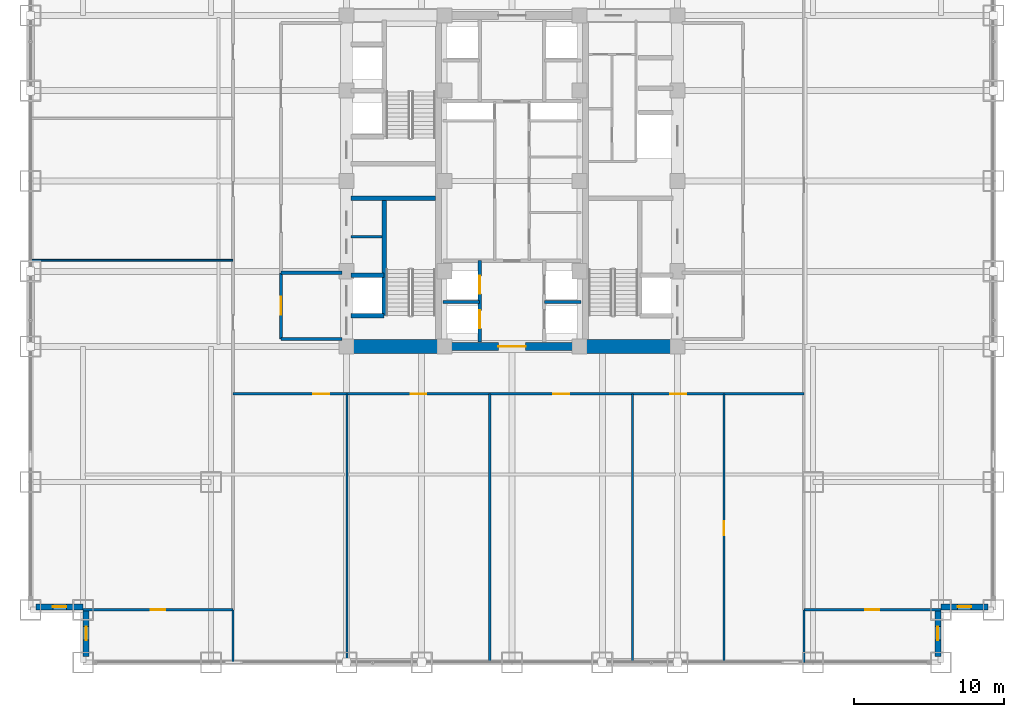
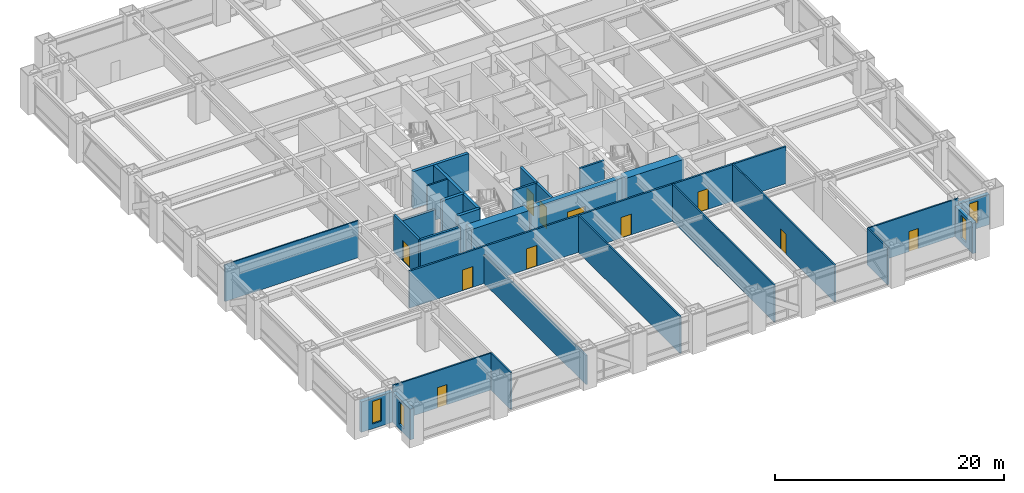
# One storey, part 23 of 27: 28 walls, 11 doors, 4 windows, 15 openings.
"""IFC4 building model written with IfcOpenShell, lengths in metres."""

from ifc_helpers import new_model, si_unit, direction, frame, frame_2d, origin, place, context, subcontext, project, spatial, rectangle, extrude, source, transform, mapped, material, layer, layer_set, type_object, element, fill, save


model = new_model("IFC4")

# Units and contexts
model_context = context("Model", 3, precision=1e-05, world=origin(), true_north=direction((0.0, 1.0)))
body_context = subcontext(model_context, "Body", "Model", "MODEL_VIEW")
ifc_project = project(units=[si_unit("LENGTHUNIT", "METRE"), si_unit("AREAUNIT", "SQUARE_METRE"), si_unit("VOLUMEUNIT", "CUBIC_METRE"), si_unit("PLANEANGLEUNIT", "RADIAN"), si_unit("MASSUNIT", "GRAM", prefix="KILO")], contexts=[model_context])

# Site, building, storey
site_placement = place(None, origin())
site = spatial("IfcSite", under=ifc_project, at=site_placement, CompositionType="ELEMENT")
building_placement = place(site_placement, origin())
building = spatial("IfcBuilding", under=site, at=building_placement, Name="Khorayat Bourse Tower", CompositionType="ELEMENT")
storey_placement = place(building_placement, frame((0.0, 0.0, 45.199951171875)))
storey = spatial("IfcBuildingStorey", under=building, at=storey_placement, Name="L09", CompositionType="ELEMENT", Elevation=45.199951171875)

# Walls
ifc_material_1 = material(Name="Concrete C72/90", Category="concrete")
ifc_layer_1 = layer(ifc_material_1, 0.89990234375)
ifc_layer_set_1 = layer_set([ifc_layer_1], Name="Concrete C72/90")
wall_type_1 = type_object("IfcWallType", Name="WAL-CORE-900", PredefinedType="SHEAR", material=ifc_layer_set_1)
shared_shape_1 = source(origin(), body_context, "Body", "SweptSolid", [
    extrude(rectangle(XDim=5.849853515625, YDim=0.89990234375, at=frame_2d((2.9248046875, 0.0))), origin(), (0.0, 0.0, 1.0), 3.93994140625),
])
for number, where, z_axis, x_axis, name in (
    (1, (-10.699951171875, -11.0, 0.0), (0.0, 0.0, 1.0), (1.0, 0.0, 0.0), "L09 Core Shear Wall PIER-WS"),
    (2, (4.85009765625, -11.0, 0.0), (0.0, 0.0, 1.0), (1.0, 0.0, 0.0), "L09 Core Shear Wall PIER-ES"),
):
    element("IfcWall", number, at=place(storey_placement, frame(where, z_axis=z_axis, x_axis=x_axis)), inside=storey, type_object=wall_type_1, Name=name, PredefinedType="SHEAR", context=body_context, shape_type="MappedRepresentation", body=[
        mapped(shared_shape_1, transform((0.0, 0.0, 0.0), scale=1.0)),
    ])
ifc_material_2 = material(Name="Concrete C50/60", Category="concrete")
ifc_layer_2 = layer(ifc_material_2, 0.300048828125)
ifc_layer_set_2 = layer_set([ifc_layer_2], Name="Concrete C50/60")
wall_type_2 = type_object("IfcWallType", Name="WAL-SHAFT-300", PredefinedType="SHEAR", material=ifc_layer_set_2)
shared_shape_2 = source(origin(), body_context, "Body", "SweptSolid", [
    extrude(rectangle(XDim=5.599853515625, YDim=0.300048828125, at=frame_2d((2.7998046875, 0.0))), origin(), (0.0, 0.0, 1.0), 3.93994140625),
])
wall_1_placement = place(storey_placement, frame((-10.699951171875, -1.14990234375, 0.0), z_axis=(0.0, 0.0, 1.0), x_axis=(1.0, 0.0, 0.0)))
element("IfcWall", 3, at=wall_1_placement, inside=storey, type_object=wall_type_2, Name="L09 Core Shear Wall ST1-DIV", PredefinedType="SHEAR", context=body_context, shape_type="MappedRepresentation", body=[
    mapped(shared_shape_2, transform((0.0, 0.0, 0.0), scale=1.0)),
])

# Wall, opening, door
ifc_material_3 = material(Name="Concrete C52/65", Category="concrete")
ifc_layer_3 = layer(ifc_material_3, 0.5)
ifc_layer_set_3 = layer_set([ifc_layer_3], Name="Concrete C52/65")
wall_type_3 = type_object("IfcWallType", Name="WAL-CORE-500", PredefinedType="SHEAR", material=ifc_layer_set_3)
shared_shape_3 = source(origin(), body_context, "Body", "SweptSolid", [
    extrude(rectangle(XDim=9.2001953125, YDim=0.5, at=frame_2d((4.60009765625, 0.0))), origin(), (0.0, 0.0, 1.0), 3.93994140625),
])
wall_2_placement = place(storey_placement, frame((-4.60009765625, -11.0, 0.0), z_axis=(0.0, 0.0, 1.0), x_axis=(1.0, 0.0, 0.0)))
wall_2 = element("IfcWall", 4, at=wall_2_placement, inside=storey, type_object=wall_type_3, Name="L09 Core Shear Wall CORE-S", PredefinedType="SHEAR", context=body_context, shape_type="MappedRepresentation", body=[
    mapped(shared_shape_3, transform((0.0, 0.0, 0.0), scale=1.0)),
])
shared_shape_4 = source(origin(), body_context, "Body", "SweptSolid", [
    extrude(rectangle(XDim=1.800048828125, YDim=2.25, at=frame_2d((0.89990234375, 1.125))), frame((0.0, 0.260009765625, 0.0), z_axis=(0.0, -1.0, 0.0), x_axis=(1.0, 0.0, 0.0)), (0.0, 0.0, 1.0), 0.52001953125),
])
opening_1_placement = place(wall_2_placement, frame((3.699951171875, 0.0, 0.0)))
opening_1 = element("IfcOpeningElement", 5, at=opening_1_placement, cuts=wall_2, Name="Opening DI-03", PredefinedType="OPENING", context=body_context, shape_type="MappedRepresentation", body=[
    mapped(shared_shape_4, transform((0.0, 0.0, 0.0), scale=1.0)),
])
ifc_material_4 = material(Name="Fire-rated hardwood vision-panel double leaf", Category="wood")
door_type_1 = type_object("IfcDoorType", Name="DR-INT-CORR-1800", OperationType="NOTDEFINED", PredefinedType="DOOR", material=ifc_material_4)
shared_shape_5 = source(origin(), body_context, "Body", "SweptSolid", [
    extrude(rectangle(XDim=1.800048828125, YDim=2.25, at=frame_2d((0.89990234375, 1.125))), frame((0.0, 0.02490234375, 0.0), z_axis=(0.0, -1.0, 0.0), x_axis=(1.0, 0.0, 0.0)), (0.0, 0.0, 1.0), 0.050048828125),
])
door_1_placement = place(opening_1_placement, origin())
door_1 = element("IfcDoor", 6, at=door_1_placement, inside=storey, type_object=door_type_1, Name="L09 Low-Rise Lift Lobby Door", OperationType="SINGLE_SWING_LEFT", OverallHeight=2.25, OverallWidth=1.800048828125, PredefinedType="DOOR", context=body_context, shape_type="MappedRepresentation", body=[
    mapped(shared_shape_5, transform((0.0, 0.0, 0.0), scale=1.0)),
])
fill(opening_1, door_1)

# Wall, opening, window
ifc_material_5 = material(Name="Precast concrete C45/55", Category="concrete")
ifc_layer_4 = layer(ifc_material_5, 0.3798828125)
ifc_layer_set_4 = layer_set([ifc_layer_4], Name="Precast concrete C45/55")
wall_type_4 = type_object("IfcWallType", Name="WAL-EXT-STONE-380", PredefinedType="STANDARD", material=ifc_layer_set_4)
shared_shape_6 = source(origin(), body_context, "Body", "SweptSolid", [
    extrude(rectangle(XDim=3.1201171875, YDim=0.3798828125, at=frame_2d((1.56005859375, 0.0))), origin(), (0.0, 0.0, 1.0), 3.2451171875),
])
wall_3_placement = place(storey_placement, frame((-28.5, -28.31005859375, 0.0), z_axis=(0.0, 0.0, 1.0), x_axis=(-1.0, 0.0, 0.0)))
wall_3 = element("IfcWall", 7, at=wall_3_placement, inside=storey, type_object=wall_type_4, Name="L09 Re-Entrant Notch Limestone Wall SW-H", PredefinedType="STANDARD", context=body_context, shape_type="MappedRepresentation", body=[
    mapped(shared_shape_6, transform((0.0, 0.0, 0.0), scale=1.0)),
])
shared_shape_7 = source(origin(), body_context, "Body", "SweptSolid", [
    extrude(rectangle(XDim=0.89990234375, YDim=2.39990234375, at=frame_2d((0.449951171875, 1.199951171875))), frame((0.0, 0.199951171875, 0.0), z_axis=(0.0, -1.0, 0.0), x_axis=(1.0, 0.0, 0.0)), (0.0, 0.0, 1.0), 0.39990234375),
])
opening_2_placement = place(wall_3_placement, frame((1.110107421875, 0.0, 0.5)))
opening_2 = element("IfcOpeningElement", 8, at=opening_2_placement, cuts=wall_3, Name="Opening WN-03", PredefinedType="OPENING", context=body_context, shape_type="MappedRepresentation", body=[
    mapped(shared_shape_7, transform((0.0, 0.0, 0.0), scale=1.0)),
])
ifc_material_6 = material(Name="Deep-reveal solar-control double glazing", Category="glass")
window_type = type_object("IfcWindowType", Name="WIN-SLOT-900x2400", PartitioningType="SINGLE_PANEL", PredefinedType="WINDOW", material=ifc_material_6)
shared_shape_8 = source(origin(), body_context, "Body", "SweptSolid", [
    extrude(rectangle(XDim=0.89990234375, YDim=2.39990234375, at=frame_2d((0.449951171875, 1.199951171875))), frame((0.0, 0.030029296875, 0.0), z_axis=(0.0, -1.0, 0.0), x_axis=(1.0, 0.0, 0.0)), (0.0, 0.0, 1.0), 0.06005859375),
])
window_1_placement = place(opening_2_placement, origin())
window_1 = element("IfcWindow", 9, at=window_1_placement, inside=storey, type_object=window_type, Name="L09 Facade Window 1", OverallHeight=2.39990234375, OverallWidth=0.89990234375, PartitioningType="SINGLE_PANEL", PredefinedType="WINDOW", context=body_context, shape_type="MappedRepresentation", body=[
    mapped(shared_shape_8, transform((0.0, 0.0, 0.0), scale=1.0)),
])
fill(opening_2, window_1)

wall_4_placement = place(storey_placement, frame((-28.31005859375, -31.6201171875, 0.0), z_axis=(0.0, 0.0, 1.0), x_axis=(0.0, 1.0, 0.0)))
wall_4 = element("IfcWall", 10, at=wall_4_placement, inside=storey, type_object=wall_type_4, Name="L09 Re-Entrant Notch Limestone Wall SW-V", PredefinedType="STANDARD", context=body_context, shape_type="MappedRepresentation", body=[
    mapped(shared_shape_6, transform((0.0, 0.0, 0.0), scale=1.0)),
])
opening_3_placement = place(wall_4_placement, frame((1.110107421875, 0.0, 0.5)))
opening_3 = element("IfcOpeningElement", 11, at=opening_3_placement, cuts=wall_4, Name="Opening WN-03", PredefinedType="OPENING", context=body_context, shape_type="MappedRepresentation", body=[
    mapped(shared_shape_7, transform((0.0, 0.0, 0.0), scale=1.0)),
])
window_2_placement = place(opening_3_placement, origin())
window_2 = element("IfcWindow", 12, at=window_2_placement, inside=storey, type_object=window_type, Name="L09 Facade Window 1", OverallHeight=2.39990234375, OverallWidth=0.89990234375, PartitioningType="SINGLE_PANEL", PredefinedType="WINDOW", context=body_context, shape_type="MappedRepresentation", body=[
    mapped(shared_shape_8, transform((0.0, 0.0, 0.0), scale=1.0)),
])
fill(opening_3, window_2)

wall_5_placement = place(storey_placement, frame((28.31005859375, -31.6201171875, 0.0), z_axis=(0.0, 0.0, 1.0), x_axis=(0.0, 1.0, 0.0)))
wall_5 = element("IfcWall", 13, at=wall_5_placement, inside=storey, type_object=wall_type_4, Name="L09 Re-Entrant Notch Limestone Wall SE-V", PredefinedType="STANDARD", context=body_context, shape_type="MappedRepresentation", body=[
    mapped(shared_shape_6, transform((0.0, 0.0, 0.0), scale=1.0)),
])
opening_4_placement = place(wall_5_placement, frame((1.110107421875, 0.0, 0.5)))
opening_4 = element("IfcOpeningElement", 14, at=opening_4_placement, cuts=wall_5, Name="Opening WN-03", PredefinedType="OPENING", context=body_context, shape_type="MappedRepresentation", body=[
    mapped(shared_shape_7, transform((0.0, 0.0, 0.0), scale=1.0)),
])
window_3_placement = place(opening_4_placement, origin())
window_3 = element("IfcWindow", 15, at=window_3_placement, inside=storey, type_object=window_type, Name="L09 Facade Window 1", OverallHeight=2.39990234375, OverallWidth=0.89990234375, PartitioningType="SINGLE_PANEL", PredefinedType="WINDOW", context=body_context, shape_type="MappedRepresentation", body=[
    mapped(shared_shape_8, transform((0.0, 0.0, 0.0), scale=1.0)),
])
fill(opening_4, window_3)

wall_6_placement = place(storey_placement, frame((28.5, -28.31005859375, 0.0), z_axis=(0.0, 0.0, 1.0), x_axis=(1.0, 0.0, 0.0)))
wall_6 = element("IfcWall", 16, at=wall_6_placement, inside=storey, type_object=wall_type_4, Name="L09 Re-Entrant Notch Limestone Wall SE-H", PredefinedType="STANDARD", context=body_context, shape_type="MappedRepresentation", body=[
    mapped(shared_shape_6, transform((0.0, 0.0, 0.0), scale=1.0)),
])
opening_5_placement = place(wall_6_placement, frame((1.110107421875, 0.0, 0.5)))
opening_5 = element("IfcOpeningElement", 17, at=opening_5_placement, cuts=wall_6, Name="Opening WN-03", PredefinedType="OPENING", context=body_context, shape_type="MappedRepresentation", body=[
    mapped(shared_shape_7, transform((0.0, 0.0, 0.0), scale=1.0)),
])
window_4_placement = place(opening_5_placement, origin())
window_4 = element("IfcWindow", 18, at=window_4_placement, inside=storey, type_object=window_type, Name="L09 Facade Window 1", OverallHeight=2.39990234375, OverallWidth=0.89990234375, PartitioningType="SINGLE_PANEL", PredefinedType="WINDOW", context=body_context, shape_type="MappedRepresentation", body=[
    mapped(shared_shape_8, transform((0.0, 0.0, 0.0), scale=1.0)),
])
fill(opening_5, window_4)

# Walls
shared_shape_9 = source(origin(), body_context, "Body", "SweptSolid", [
    extrude(rectangle(XDim=7.800048828125, YDim=0.300048828125, at=frame_2d((3.89990234375, 0.0))), origin(), (0.0, 0.0, 1.0), 3.93994140625),
])
wall_7_placement = place(storey_placement, frame((-8.5, -8.949951171875, 0.0), z_axis=(0.0, 0.0, 1.0), x_axis=(0.0, 1.0, 0.0)))
element("IfcWall", 19, at=wall_7_placement, inside=storey, type_object=wall_type_2, Name="L09 Partition WAL-L09-WPIER-SP", PredefinedType="SHEAR", context=body_context, shape_type="MappedRepresentation", body=[
    mapped(shared_shape_9, transform((0.0, 0.0, 0.0), scale=1.0)),
])
shared_shape_10 = source(origin(), body_context, "Body", "SweptSolid", [
    extrude(rectangle(XDim=2.199951171875, YDim=0.300048828125, at=frame_2d((1.10009765625, 0.0))), origin(), (0.0, 0.0, 1.0), 3.93994140625),
])
for number, where, z_axis, x_axis, name in (
    (20, (-10.699951171875, -8.949951171875, 0.0), (0.0, 0.0, 1.0), (1.0, 0.0, 0.0), "L09 Partition WAL-L09-WPIER-FF1S"),
    (21, (-10.699951171875, -6.25, 0.0), (0.0, 0.0, 1.0), (1.0, 0.0, 0.0), "L09 Partition WAL-L09-WPIER-FF1N"),
):
    element("IfcWall", number, at=place(storey_placement, frame(where, z_axis=z_axis, x_axis=x_axis)), inside=storey, type_object=wall_type_2, Name=name, PredefinedType="SHEAR", context=body_context, shape_type="MappedRepresentation", body=[
        mapped(shared_shape_10, transform((0.0, 0.0, 0.0), scale=1.0)),
    ])
ifc_material_7 = material(Name="Gypsum plasterboard twin-frame partition")
ifc_layer_5 = layer(ifc_material_7, 0.14990234375)
ifc_layer_set_5 = layer_set([ifc_layer_5], Name="Gypsum plasterboard twin-frame partition")
wall_type_5 = type_object("IfcWallType", Name="WAL-PART-SUITE-150", PredefinedType="PARTITIONING", material=ifc_layer_set_5)
shared_shape_11 = source(origin(), body_context, "Body", "SweptSolid", [
    extrude(rectangle(XDim=2.050048828125, YDim=0.14990234375, at=frame_2d((1.02490234375, 0.0))), origin(), (0.0, 0.0, 1.0), 3.93994140625),
])
wall_8_placement = place(storey_placement, frame((-10.699951171875, -3.699951171875, 0.0), z_axis=(0.0, 0.0, 1.0), x_axis=(1.0, 0.0, 0.0)))
element("IfcWall", 22, at=wall_8_placement, inside=storey, type_object=wall_type_5, Name="L09 Partition WAL-L09-WSRV-D1", PredefinedType="PARTITIONING", context=body_context, shape_type="MappedRepresentation", body=[
    mapped(shared_shape_11, transform((0.0, 0.0, 0.0), scale=1.0)),
])
ifc_material_8 = material(Name="Aerated concrete blockwork", Category="masonry")
ifc_layer_6 = layer(ifc_material_8, 0.219970703125)
ifc_layer_set_6 = layer_set([ifc_layer_6], Name="Aerated concrete blockwork")
wall_type_6 = type_object("IfcWallType", Name="WAL-PART-FF-220", PredefinedType="PARTITIONING", material=ifc_layer_set_6)
shared_shape_12 = source(origin(), body_context, "Body", "SweptSolid", [
    extrude(rectangle(XDim=4.050048828125, YDim=0.219970703125, at=frame_2d((2.02490234375, 0.0))), origin(), (0.0, 0.0, 1.0), 3.93994140625),
])
wall_9_placement = place(storey_placement, frame((-15.35009765625, -10.5, 0.0), z_axis=(0.0, 0.0, 1.0), x_axis=(1.0, 0.0, 0.0)))
element("IfcWall", 23, at=wall_9_placement, inside=storey, type_object=wall_type_6, Name="L09 Partition WAL-L09-FFLW-S", PredefinedType="PARTITIONING", context=body_context, shape_type="MappedRepresentation", body=[
    mapped(shared_shape_12, transform((0.0, 0.0, 0.0), scale=1.0)),
])
shared_shape_13 = source(origin(), body_context, "Body", "SweptSolid", [
    extrude(rectangle(XDim=4.050048828125, YDim=0.219970703125, at=frame_2d((2.02490234375, 0.0))), origin(), (0.0, 0.0, 1.0), 3.0849609375),
])
wall_10_placement = place(storey_placement, frame((-15.35009765625, -6.10009765625, 0.0), z_axis=(0.0, 0.0, 1.0), x_axis=(1.0, 0.0, 0.0)))
element("IfcWall", 24, at=wall_10_placement, inside=storey, type_object=wall_type_6, Name="L09 Partition WAL-L09-FFLW-N", PredefinedType="PARTITIONING", context=body_context, shape_type="MappedRepresentation", body=[
    mapped(shared_shape_13, transform((0.0, 0.0, 0.0), scale=1.0)),
])

# Wall, opening, door
shared_shape_14 = source(origin(), body_context, "Body", "SweptSolid", [
    extrude(rectangle(XDim=4.39990234375, YDim=0.219970703125, at=frame_2d((2.199951171875, 0.0))), origin(), (0.0, 0.0, 1.0), 3.93994140625),
])
wall_11_placement = place(storey_placement, frame((-15.35009765625, -10.5, 0.0), z_axis=(0.0, 0.0, 1.0), x_axis=(0.0, 1.0, 0.0)))
wall_11 = element("IfcWall", 25, at=wall_11_placement, inside=storey, type_object=wall_type_6, Name="L09 Partition WAL-L09-FFLW-W", PredefinedType="PARTITIONING", context=body_context, shape_type="MappedRepresentation", body=[
    mapped(shared_shape_14, transform((0.0, 0.0, 0.0), scale=1.0)),
])
shared_shape_15 = source(origin(), body_context, "Body", "SweptSolid", [
    extrude(rectangle(XDim=1.199951171875, YDim=2.199951171875, at=frame_2d((0.60009765625, 1.10009765625))), frame((0.0, 0.119873046875, 0.0), z_axis=(0.0, -1.0, 0.0), x_axis=(1.0, 0.0, 0.0)), (0.0, 0.0, 1.0), 0.239990234375),
])
opening_6_placement = place(wall_11_placement, frame((1.60009765625, 0.0, 0.0)))
opening_6 = element("IfcOpeningElement", 26, at=opening_6_placement, cuts=wall_11, Name="Opening DI-02", PredefinedType="OPENING", context=body_context, shape_type="MappedRepresentation", body=[
    mapped(shared_shape_15, transform((0.0, 0.0, 0.0), scale=1.0)),
])
ifc_material_9 = material(Name="Fire-rated steel double-seal leaf", Category="steel")
door_type_2 = type_object("IfcDoorType", Name="DR-INT-FFLOBBY-1200", OperationType="NOTDEFINED", PredefinedType="DOOR", material=ifc_material_9)
shared_shape_16 = source(origin(), body_context, "Body", "SweptSolid", [
    extrude(rectangle(XDim=1.199951171875, YDim=2.199951171875, at=frame_2d((0.60009765625, 1.10009765625))), frame((0.0, 0.02490234375, 0.0), z_axis=(0.0, -1.0, 0.0), x_axis=(1.0, 0.0, 0.0)), (0.0, 0.0, 1.0), 0.050048828125),
])
door_2_placement = place(opening_6_placement, origin())
door_2 = element("IfcDoor", 27, at=door_2_placement, inside=storey, type_object=door_type_2, Name="L09 West Firefighting Lobby Door", OperationType="SINGLE_SWING_LEFT", OverallHeight=2.199951171875, OverallWidth=1.199951171875, PredefinedType="DOOR", context=body_context, shape_type="MappedRepresentation", body=[
    mapped(shared_shape_16, transform((0.0, 0.0, 0.0), scale=1.0)),
])
fill(opening_6, door_2)

# Wall, openings, doors
shared_shape_17 = source(origin(), body_context, "Body", "SweptSolid", [
    extrude(rectangle(XDim=5.39990234375, YDim=0.25, at=frame_2d((2.699951171875, 0.0))), origin(), (0.0, 0.0, 1.0), 3.93994140625),
])
wall_12_placement = place(storey_placement, frame((-2.14990234375, -10.699951171875, 0.0), z_axis=(0.0, 0.0, 1.0), x_axis=(0.0, 1.0, 0.0)))
wall_12 = element("IfcWall", 28, at=wall_12_placement, inside=storey, type_object=wall_type_2, Name="L09 Partition WAL-L09-B1-W", PredefinedType="SHEAR", context=body_context, shape_type="MappedRepresentation", body=[
    mapped(shared_shape_17, transform((0.0, 0.0, 0.0), scale=1.0)),
])
shared_shape_18 = source(origin(), body_context, "Body", "SweptSolid", [
    extrude(rectangle(XDim=1.199951171875, YDim=2.300048828125, at=frame_2d((0.60009765625, 1.14990234375))), frame((0.0, 0.135009765625, 0.0), z_axis=(0.0, -1.0, 0.0), x_axis=(1.0, 0.0, 0.0)), (0.0, 0.0, 1.0), 0.27001953125),
])
opening_7_placement = place(wall_12_placement, frame((0.89990234375, 0.0, 0.0)))
opening_7 = element("IfcOpeningElement", 29, at=opening_7_placement, cuts=wall_12, Name="Opening LD-01", PredefinedType="OPENING", context=body_context, shape_type="MappedRepresentation", body=[
    mapped(shared_shape_18, transform((0.0, 0.0, 0.0), scale=1.0)),
])
opening_8_placement = place(wall_12_placement, frame((3.199951171875, 0.0, 0.0)))
opening_8 = element("IfcOpeningElement", 30, at=opening_8_placement, cuts=wall_12, Name="Opening LD-01", PredefinedType="OPENING", context=body_context, shape_type="MappedRepresentation", body=[
    mapped(shared_shape_18, transform((0.0, 0.0, 0.0), scale=1.0)),
])
ifc_material_10 = material(Name="Brushed bronze stainless-steel sliding door", Category="steel")
door_type_3 = type_object("IfcDoorType", Name="DR-LIFT-PASS-1200", OperationType="NOTDEFINED", PredefinedType="DOOR", material=ifc_material_10)
shared_shape_19 = source(origin(), body_context, "Body", "SweptSolid", [
    extrude(rectangle(XDim=1.199951171875, YDim=2.300048828125, at=frame_2d((0.60009765625, 1.14990234375))), frame((0.0, 0.02490234375, 0.0), z_axis=(0.0, -1.0, 0.0), x_axis=(1.0, 0.0, 0.0)), (0.0, 0.0, 1.0), 0.050048828125),
])
door_3_placement = place(opening_7_placement, origin())
door_3 = element("IfcDoor", 31, at=door_3_placement, inside=storey, type_object=door_type_3, Name="L09 Lift PL-L1 Sliding Landing Door", OperationType="SLIDING_TO_LEFT", OverallHeight=2.300048828125, OverallWidth=1.199951171875, PredefinedType="DOOR", context=body_context, shape_type="MappedRepresentation", body=[
    mapped(shared_shape_19, transform((0.0, 0.0, 0.0), scale=1.0)),
])
fill(opening_7, door_3)
door_4_placement = place(opening_8_placement, origin())
door_4 = element("IfcDoor", 32, at=door_4_placement, inside=storey, type_object=door_type_3, Name="L09 Lift PL-L3 Sliding Landing Door", OperationType="SLIDING_TO_LEFT", OverallHeight=2.300048828125, OverallWidth=1.199951171875, PredefinedType="DOOR", context=body_context, shape_type="MappedRepresentation", body=[
    mapped(shared_shape_19, transform((0.0, 0.0, 0.0), scale=1.0)),
])
fill(opening_8, door_4)

# Walls
shared_shape_20 = source(origin(), body_context, "Body", "SweptSolid", [
    extrude(rectangle(XDim=2.4501953125, YDim=0.199951171875, at=frame_2d((1.22509765625, 0.0))), origin(), (0.0, 0.0, 1.0), 3.93994140625),
])
for number, where, z_axis, x_axis, name in (
    (33, (-4.60009765625, -8.050048828125, 0.0), (0.0, 0.0, 1.0), (1.0, 0.0, 0.0), "L09 Partition WAL-L09-B1-MW"),
    (34, (2.14990234375, -8.050048828125, 0.0), (0.0, 0.0, 1.0), (1.0, 0.0, 0.0), "L09 Partition WAL-L09-B1-ME"),
):
    element("IfcWall", number, at=place(storey_placement, frame(where, z_axis=z_axis, x_axis=x_axis)), inside=storey, type_object=wall_type_2, Name=name, PredefinedType="SHEAR", context=body_context, shape_type="MappedRepresentation", body=[
        mapped(shared_shape_20, transform((0.0, 0.0, 0.0), scale=1.0)),
    ])
shared_shape_21 = source(origin(), body_context, "Body", "SweptSolid", [
    extrude(rectangle(XDim=3.5, YDim=0.14990234375, at=frame_2d((1.75, 0.0))), origin(), (0.0, 0.0, 1.0), 3.93994140625),
])
for number, where, z_axis, x_axis, name in (
    (35, (-18.550048828125, -32.0, 0.0), (0.0, 0.0, 1.0), (0.0, 1.0, 0.0), "L09 Partition WAL-L09-SCW-END"),
    (36, (19.39990234375, -32.0, 0.0), (0.0, 0.0, 1.0), (0.0, 1.0, 0.0), "L09 Partition WAL-L09-SCE-END"),
):
    element("IfcWall", number, at=place(storey_placement, frame(where, z_axis=z_axis, x_axis=x_axis)), inside=storey, type_object=wall_type_5, Name=name, PredefinedType="PARTITIONING", context=body_context, shape_type="MappedRepresentation", body=[
        mapped(shared_shape_21, transform((0.0, 0.0, 0.0), scale=1.0)),
    ])
ifc_material_11 = material(Name="Gypsum plasterboard partition")
ifc_layer_7 = layer(ifc_material_11, 0.125)
ifc_layer_set_7 = layer_set([ifc_layer_7], Name="Gypsum plasterboard partition")
wall_type_7 = type_object("IfcWallType", Name="WAL-PART-ROOM-125", PredefinedType="PARTITIONING", material=ifc_layer_set_7)
shared_shape_22 = source(origin(), body_context, "Body", "SweptSolid", [
    extrude(rectangle(XDim=13.449951171875, YDim=0.125, at=frame_2d((6.72509765625, 0.0))), origin(), (0.0, 0.0, 1.0), 3.93994140625),
])
wall_13_placement = place(storey_placement, frame((-32.0, -5.27001953125, 0.0), z_axis=(0.0, 0.0, 1.0), x_axis=(1.0, 0.0, 0.0)))
element("IfcWall", 37, at=wall_13_placement, inside=storey, type_object=wall_type_7, Name="L09 Partition WAL-L09-WDV-1", PredefinedType="PARTITIONING", context=body_context, shape_type="MappedRepresentation", body=[
    mapped(shared_shape_22, transform((0.0, 0.0, 0.0), scale=1.0)),
])

# Wall, opening, door
shared_shape_23 = source(origin(), body_context, "Body", "SweptSolid", [
    extrude(rectangle(XDim=9.949951171875, YDim=0.14990234375, at=frame_2d((4.97509765625, 0.0))), origin(), (0.0, 0.0, 1.0), 3.93994140625),
])
wall_14_placement = place(storey_placement, frame((-28.5, -28.5, 0.0), z_axis=(0.0, 0.0, 1.0), x_axis=(1.0, 0.0, 0.0)))
wall_14 = element("IfcWall", 38, at=wall_14_placement, inside=storey, type_object=wall_type_5, Name="L09 Partition WAL-L09-CSW", PredefinedType="PARTITIONING", context=body_context, shape_type="MappedRepresentation", body=[
    mapped(shared_shape_23, transform((0.0, 0.0, 0.0), scale=1.0)),
])
shared_shape_24 = source(origin(), body_context, "Body", "SweptSolid", [
    extrude(rectangle(XDim=0.949951171875, YDim=2.14990234375, at=frame_2d((0.47509765625, 1.074951171875))), frame((0.0, 0.0849609375, 0.0), z_axis=(0.0, -1.0, 0.0), x_axis=(1.0, 0.0, 0.0)), (0.0, 0.0, 1.0), 0.169921875),
])
opening_9_placement = place(wall_14_placement, frame((4.5, 0.0, 0.0)))
opening_9 = element("IfcOpeningElement", 39, at=opening_9_placement, cuts=wall_14, Name="Opening DI-05", PredefinedType="OPENING", context=body_context, shape_type="MappedRepresentation", body=[
    mapped(shared_shape_24, transform((0.0, 0.0, 0.0), scale=1.0)),
])
ifc_material_12 = material(Name="Acoustic oak veneer office door")
door_type_4 = type_object("IfcDoorType", Name="DR-INT-OFFICE-950", OperationType="NOTDEFINED", PredefinedType="DOOR", material=ifc_material_12)
shared_shape_25 = source(origin(), body_context, "Body", "SweptSolid", [
    extrude(rectangle(XDim=0.949951171875, YDim=2.14990234375, at=frame_2d((0.47509765625, 1.074951171875))), frame((0.0, 0.02490234375, 0.0), z_axis=(0.0, -1.0, 0.0), x_axis=(1.0, 0.0, 0.0)), (0.0, 0.0, 1.0), 0.050048828125),
])
door_5_placement = place(opening_9_placement, origin())
door_5 = element("IfcDoor", 40, at=door_5_placement, inside=storey, type_object=door_type_4, Name="L09 South-West Corner Office Door", OperationType="SINGLE_SWING_LEFT", OverallHeight=2.14990234375, OverallWidth=0.949951171875, PredefinedType="DOOR", context=body_context, shape_type="MappedRepresentation", body=[
    mapped(shared_shape_25, transform((0.0, 0.0, 0.0), scale=1.0)),
])
fill(opening_9, door_5)

# Walls
shared_shape_26 = source(origin(), body_context, "Body", "SweptSolid", [
    extrude(rectangle(XDim=17.85009765625, YDim=0.14990234375, at=frame_2d((8.925048828125, 0.0))), origin(), (0.0, 0.0, 1.0), 3.0849609375),
])
wall_15_placement = place(storey_placement, frame((-10.9599609375, -32.0, 0.0), z_axis=(0.0, 0.0, 1.0), x_axis=(0.0, 1.0, 0.0)))
element("IfcWall", 41, at=wall_15_placement, inside=storey, type_object=wall_type_5, Name="L09 Partition WAL-L09-SDV-1", PredefinedType="PARTITIONING", context=body_context, shape_type="MappedRepresentation", body=[
    mapped(shared_shape_26, transform((0.0, 0.0, 0.0), scale=1.0)),
])
shared_shape_27 = source(origin(), body_context, "Body", "SweptSolid", [
    extrude(rectangle(XDim=17.85009765625, YDim=0.14990234375, at=frame_2d((8.925048828125, 0.0))), origin(), (0.0, 0.0, 1.0), 3.93994140625),
])
for number, where, z_axis, x_axis, name in (
    (42, (-1.472412109375, -32.0, 0.0), (0.0, 0.0, 1.0), (0.0, 1.0, 0.0), "L09 Partition WAL-L09-SDV-2"),
    (43, (8.014892578125, -32.0, 0.0), (0.0, 0.0, 1.0), (0.0, 1.0, 0.0), "L09 Partition WAL-L09-SDV-3"),
):
    element("IfcWall", number, at=place(storey_placement, frame(where, z_axis=z_axis, x_axis=x_axis)), inside=storey, type_object=wall_type_5, Name=name, PredefinedType="PARTITIONING", context=body_context, shape_type="MappedRepresentation", body=[
        mapped(shared_shape_27, transform((0.0, 0.0, 0.0), scale=1.0)),
    ])

# Wall, opening, door
wall_16_placement = place(storey_placement, frame((14.0869140625, -32.0, 0.0), z_axis=(0.0, 0.0, 1.0), x_axis=(0.0, 1.0, 0.0)))
wall_16 = element("IfcWall", 44, at=wall_16_placement, inside=storey, type_object=wall_type_5, Name="L09 Partition WAL-L09-SDV-4", PredefinedType="PARTITIONING", context=body_context, shape_type="MappedRepresentation", body=[
    mapped(shared_shape_27, transform((0.0, 0.0, 0.0), scale=1.0)),
])
opening_10_placement = place(wall_16_placement, frame((8.449951171875, 0.0, 0.0)))
opening_10 = element("IfcOpeningElement", 45, at=opening_10_placement, cuts=wall_16, Name="Opening DI-05", PredefinedType="OPENING", context=body_context, shape_type="MappedRepresentation", body=[
    mapped(shared_shape_24, transform((0.0, 0.0, 0.0), scale=1.0)),
])
door_6_placement = place(opening_10_placement, origin())
door_6 = element("IfcDoor", 46, at=door_6_placement, inside=storey, type_object=door_type_4, Name="L09 S Suite Link 4", OperationType="SINGLE_SWING_LEFT", OverallHeight=2.14990234375, OverallWidth=0.949951171875, PredefinedType="DOOR", context=body_context, shape_type="MappedRepresentation", body=[
    mapped(shared_shape_25, transform((0.0, 0.0, 0.0), scale=1.0)),
])
fill(opening_10, door_6)

# Wall, openings, doors
ifc_material_13 = material(Name="Gypsum plasterboard acoustic stud wall")
ifc_layer_8 = layer(ifc_material_13, 0.179931640625)
ifc_layer_set_8 = layer_set([ifc_layer_8], Name="Gypsum plasterboard acoustic stud wall")
wall_type_8 = type_object("IfcWallType", Name="WAL-PART-CORR-180", PredefinedType="PARTITIONING", material=ifc_layer_set_8)
shared_shape_28 = source(origin(), body_context, "Body", "SweptSolid", [
    extrude(rectangle(XDim=37.949951171875, YDim=0.179931640625, at=frame_2d((18.97509765625, 0.0))), origin(), (0.0, 0.0, 1.0), 3.93994140625),
])
wall_17_placement = place(storey_placement, frame((-18.550048828125, -14.14990234375, 0.0), z_axis=(0.0, 0.0, 1.0), x_axis=(1.0, 0.0, 0.0)))
wall_17 = element("IfcWall", 47, at=wall_17_placement, inside=storey, type_object=wall_type_8, Name="L09 Partition WAL-L09-SCORR", PredefinedType="PARTITIONING", context=body_context, shape_type="MappedRepresentation", body=[
    mapped(shared_shape_28, transform((0.0, 0.0, 0.0), scale=1.0)),
])
shared_shape_29 = source(origin(), body_context, "Body", "SweptSolid", [
    extrude(rectangle(XDim=1.050048828125, YDim=2.199951171875, at=frame_2d((0.52490234375, 1.10009765625))), frame((0.0, 0.099853515625, 0.0), z_axis=(0.0, -1.0, 0.0), x_axis=(1.0, 0.0, 0.0)), (0.0, 0.0, 1.0), 0.199951171875),
])
opening_11_placement = place(wall_17_placement, frame((5.344970703125, 0.0, 0.0)))
opening_11 = element("IfcOpeningElement", 48, at=opening_11_placement, cuts=wall_17, Name="Opening DI-04", PredefinedType="OPENING", context=body_context, shape_type="MappedRepresentation", body=[
    mapped(shared_shape_29, transform((0.0, 0.0, 0.0), scale=1.0)),
])
opening_12_placement = place(wall_17_placement, frame((11.80859375, 0.0, 0.0)))
opening_12 = element("IfcOpeningElement", 49, at=opening_12_placement, cuts=wall_17, Name="Opening DI-04", PredefinedType="OPENING", context=body_context, shape_type="MappedRepresentation", body=[
    mapped(shared_shape_29, transform((0.0, 0.0, 0.0), scale=1.0)),
])
opening_13_placement = place(wall_17_placement, frame((21.29638671875, 0.0, 0.0)))
opening_13 = element("IfcOpeningElement", 50, at=opening_13_placement, cuts=wall_17, Name="Opening DI-04", PredefinedType="OPENING", context=body_context, shape_type="MappedRepresentation", body=[
    mapped(shared_shape_29, transform((0.0, 0.0, 0.0), scale=1.0)),
])
opening_14_placement = place(wall_17_placement, frame((29.075927734375, 0.0, 0.0)))
opening_14 = element("IfcOpeningElement", 51, at=opening_14_placement, cuts=wall_17, Name="Opening DI-04", PredefinedType="OPENING", context=body_context, shape_type="MappedRepresentation", body=[
    mapped(shared_shape_29, transform((0.0, 0.0, 0.0), scale=1.0)),
])
ifc_material_14 = material(Name="Fire-rated oak veneer suite entrance door")
door_type_5 = type_object("IfcDoorType", Name="DR-INT-SUITE-1050", OperationType="NOTDEFINED", PredefinedType="DOOR", material=ifc_material_14)
shared_shape_30 = source(origin(), body_context, "Body", "SweptSolid", [
    extrude(rectangle(XDim=1.050048828125, YDim=2.199951171875, at=frame_2d((0.52490234375, 1.10009765625))), frame((0.0, 0.02490234375, 0.0), z_axis=(0.0, -1.0, 0.0), x_axis=(1.0, 0.0, 0.0)), (0.0, 0.0, 1.0), 0.050048828125),
])
door_7_placement = place(opening_11_placement, origin())
door_7 = element("IfcDoor", 52, at=door_7_placement, inside=storey, type_object=door_type_5, Name="L09 Executive Boardroom S1 Door", OperationType="SINGLE_SWING_RIGHT", OverallHeight=2.199951171875, OverallWidth=1.050048828125, PredefinedType="DOOR", context=body_context, shape_type="MappedRepresentation", body=[
    mapped(shared_shape_30, transform((0.0, 0.0, 0.0), scale=1.0)),
])
fill(opening_11, door_7)
door_8_placement = place(opening_12_placement, origin())
door_8 = element("IfcDoor", 53, at=door_8_placement, inside=storey, type_object=door_type_5, Name="L09 Market Committee Conference Room S2 Door", OperationType="SINGLE_SWING_LEFT", OverallHeight=2.199951171875, OverallWidth=1.050048828125, PredefinedType="DOOR", context=body_context, shape_type="MappedRepresentation", body=[
    mapped(shared_shape_30, transform((0.0, 0.0, 0.0), scale=1.0)),
])
fill(opening_12, door_8)
door_9_placement = place(opening_13_placement, origin())
door_9 = element("IfcDoor", 54, at=door_9_placement, inside=storey, type_object=door_type_5, Name="L09 Financial Training Classroom S3 Door", OperationType="SINGLE_SWING_RIGHT", OverallHeight=2.199951171875, OverallWidth=1.050048828125, PredefinedType="DOOR", context=body_context, shape_type="MappedRepresentation", body=[
    mapped(shared_shape_30, transform((0.0, 0.0, 0.0), scale=1.0)),
])
fill(opening_13, door_9)
door_10_placement = place(opening_14_placement, origin())
door_10 = element("IfcDoor", 55, at=door_10_placement, inside=storey, type_object=door_type_5, Name="L09 Brokerage Seminar Room S4 Door", OperationType="SINGLE_SWING_LEFT", OverallHeight=2.199951171875, OverallWidth=1.050048828125, PredefinedType="DOOR", context=body_context, shape_type="MappedRepresentation", body=[
    mapped(shared_shape_30, transform((0.0, 0.0, 0.0), scale=1.0)),
])
fill(opening_14, door_10)

# Wall, opening, door
shared_shape_31 = source(origin(), body_context, "Body", "SweptSolid", [
    extrude(rectangle(XDim=9.10009765625, YDim=0.14990234375, at=frame_2d((4.550048828125, 0.0))), origin(), (0.0, 0.0, 1.0), 3.93994140625),
])
wall_18_placement = place(storey_placement, frame((19.39990234375, -28.5, 0.0), z_axis=(0.0, 0.0, 1.0), x_axis=(1.0, 0.0, 0.0)))
wall_18 = element("IfcWall", 56, at=wall_18_placement, inside=storey, type_object=wall_type_5, Name="L09 Partition WAL-L09-CSE", PredefinedType="PARTITIONING", context=body_context, shape_type="MappedRepresentation", body=[
    mapped(shared_shape_31, transform((0.0, 0.0, 0.0), scale=1.0)),
])
opening_15_placement = place(wall_18_placement, frame((4.074951171875, 0.0, 0.0)))
opening_15 = element("IfcOpeningElement", 57, at=opening_15_placement, cuts=wall_18, Name="Opening DI-05", PredefinedType="OPENING", context=body_context, shape_type="MappedRepresentation", body=[
    mapped(shared_shape_24, transform((0.0, 0.0, 0.0), scale=1.0)),
])
door_11_placement = place(opening_15_placement, origin())
door_11 = element("IfcDoor", 58, at=door_11_placement, inside=storey, type_object=door_type_4, Name="L09 South-East Corner Briefing Room Door", OperationType="SINGLE_SWING_LEFT", OverallHeight=2.14990234375, OverallWidth=0.949951171875, PredefinedType="DOOR", context=body_context, shape_type="MappedRepresentation", body=[
    mapped(shared_shape_25, transform((0.0, 0.0, 0.0), scale=1.0)),
])
fill(opening_15, door_11)

save(model, "model.ifc")
